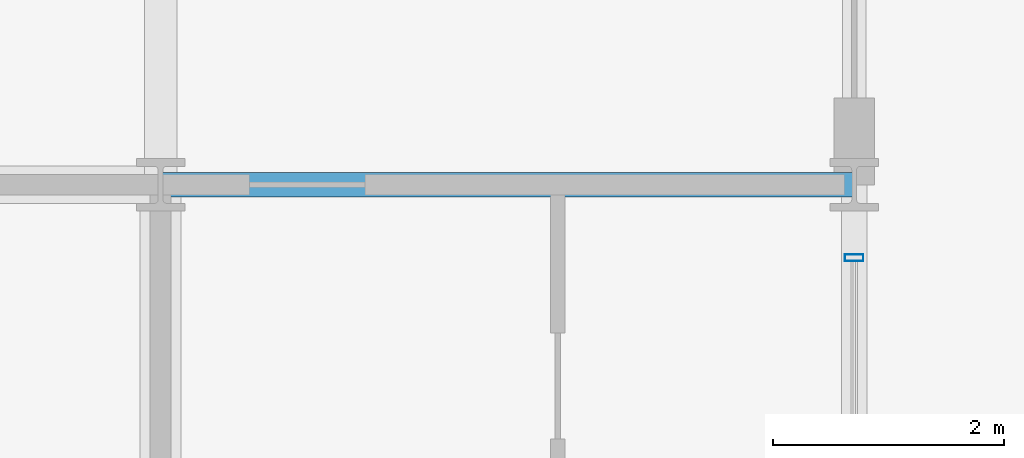
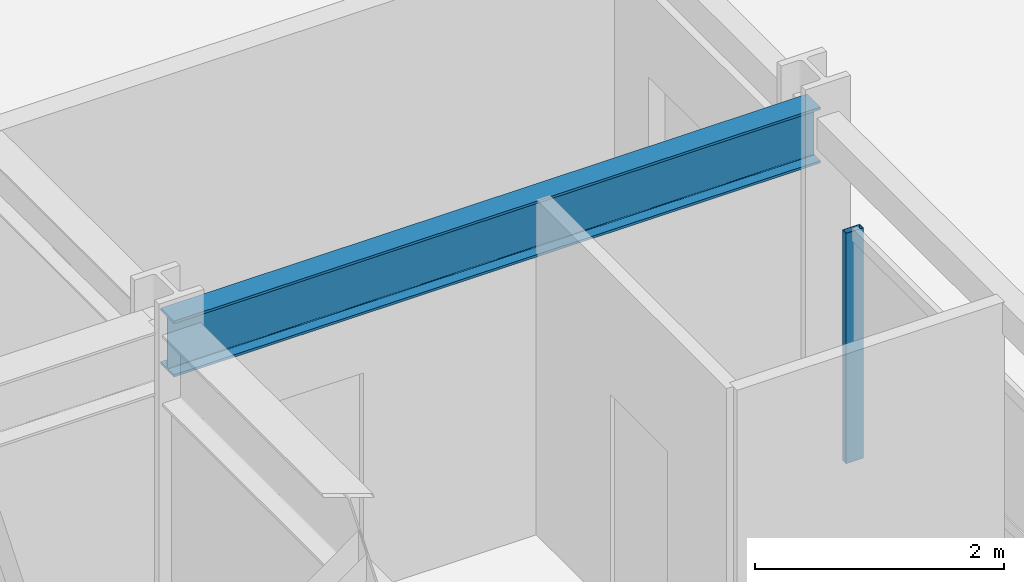
# One storey, part 12 of 27: 1 beam, 1 member, 1 element without a shape of its own.
"""IFC4 building model written with IfcOpenShell, lengths in metres."""

from ifc_helpers import new_model, si_unit, direction, frame, origin, origin_2d, place, context, subcontext, project, spatial, hollow_rectangle, i_section, extrude, material, material_profile, profile_set, type_object, element, aggregate, save


model = new_model("IFC4")

# Units and contexts
model_context = context("Model", 3, precision=1e-05, world=origin(), true_north=direction((0.0, 1.0)))
body_context = subcontext(model_context, "Body", "Model", "MODEL_VIEW")
ifc_project = project(units=[si_unit("LENGTHUNIT", "METRE"), si_unit("AREAUNIT", "SQUARE_METRE"), si_unit("VOLUMEUNIT", "CUBIC_METRE"), si_unit("PLANEANGLEUNIT", "RADIAN"), si_unit("MASSUNIT", "GRAM", prefix="KILO")], contexts=[model_context])

# Site, building, storey
site_placement = place(None, origin())
site = spatial("IfcSite", under=ifc_project, at=site_placement, CompositionType="ELEMENT")
building_placement = place(site_placement, origin())
building = spatial("IfcBuilding", under=site, at=building_placement, Name="Kaldorvane Square Convention Centre", CompositionType="ELEMENT")
storey_placement = place(building_placement, frame((0.0, 0.0, 38.399993896484375)))
storey = spatial("IfcBuildingStorey", under=building, at=storey_placement, Name="L08", CompositionType="ELEMENT", Elevation=38.399993896484375)

# Beam
ifc_material_1 = material(Name="Steel ASTM A992 Gr. 50", Category="steel")
ifc_material_profile_1 = material_profile(ifc_material_1, i_section(OverallWidth=0.213897705078125, OverallDepth=0.549102783203125, WebThickness=0.0146942138671875, FlangeThickness=0.0236053466796875, FilletRadius=0.0126953125, at=origin_2d()), Name="W21X93")
ifc_profile_set_1 = profile_set([ifc_material_profile_1], Name="Steel ASTM A992 Gr. 50")
beam_type = type_object("IfcBeamType", Name="BM-GR-W21X93", PredefinedType="BEAM", material=ifc_profile_set_1)
beam_placement = place(storey_placement, frame((78.0, 96.0, 3.011505126953125), z_axis=(1.0, 0.0, 0.0), x_axis=(0.0, 1.0, 0.0)))
element("IfcBeam", 1, at=beam_placement, inside=storey, type_object=beam_type, Name="Primary Girder (L08)", PredefinedType="BEAM", context=body_context, shape_type="SweptSolid", body=[
    extrude(i_section(OverallWidth=0.213897705078125, OverallDepth=0.549102783203125, WebThickness=0.0146942138671875, FlangeThickness=0.0236053466796875, FilletRadius=0.0126953125, at=origin_2d()), origin(), (0.0, 0.0, 1.0), 6.0),
])

# Curtain wall, member
ifc_material_2 = material(Name="Anodized Aluminum and Low-E Insulated Glazing", Category="aluminium")
curtain_wall_type = type_object("IfcCurtainWallType", Name="CW-UNI-HTL-A", PredefinedType="USERDEFINED", material=ifc_material_2)
curtain_wall_placement = place(storey_placement, origin())
curtain_wall = element("IfcCurtainWall", 2, at=curtain_wall_placement, inside=storey, type_object=curtain_wall_type, Name="Curtain Wall CW-10 (L08)", ObjectType="UNITISED GLAZING", PredefinedType="USERDEFINED")
ifc_material_profile_2 = material_profile(ifc_material_2, hollow_rectangle(XDim=0.05999755859375, YDim=0.160003662109375, WallThickness=0.003204345703125, at=origin_2d()), Name="CWM-160X60")
ifc_profile_set_2 = profile_set([ifc_material_profile_2], Name="Anodized Aluminum and Low-E Insulated Glazing")
member_type = type_object("IfcMemberType", Name="CW-MUL-160", PredefinedType="MULLION", material=ifc_profile_set_2)
member_placement = place(storey_placement, frame((84.0, 95.3699951171875, 0.1500091552734375), z_axis=(0.0, 0.0, 1.0), x_axis=(0.0, 1.0, 0.0)))
member = element("IfcMember", 3, at=member_placement, type_object=member_type, Name="CW-10 mullion 4", PredefinedType="MULLION", context=body_context, shape_type="SweptSolid", body=[
    extrude(hollow_rectangle(XDim=0.05999755859375, YDim=0.160003662109375, WallThickness=0.003204345703125, at=origin_2d()), origin(), (0.0, 0.0, 1.0), 2.2599945068359375),
])
aggregate(curtain_wall, [member])

save(model, "model.ifc")
